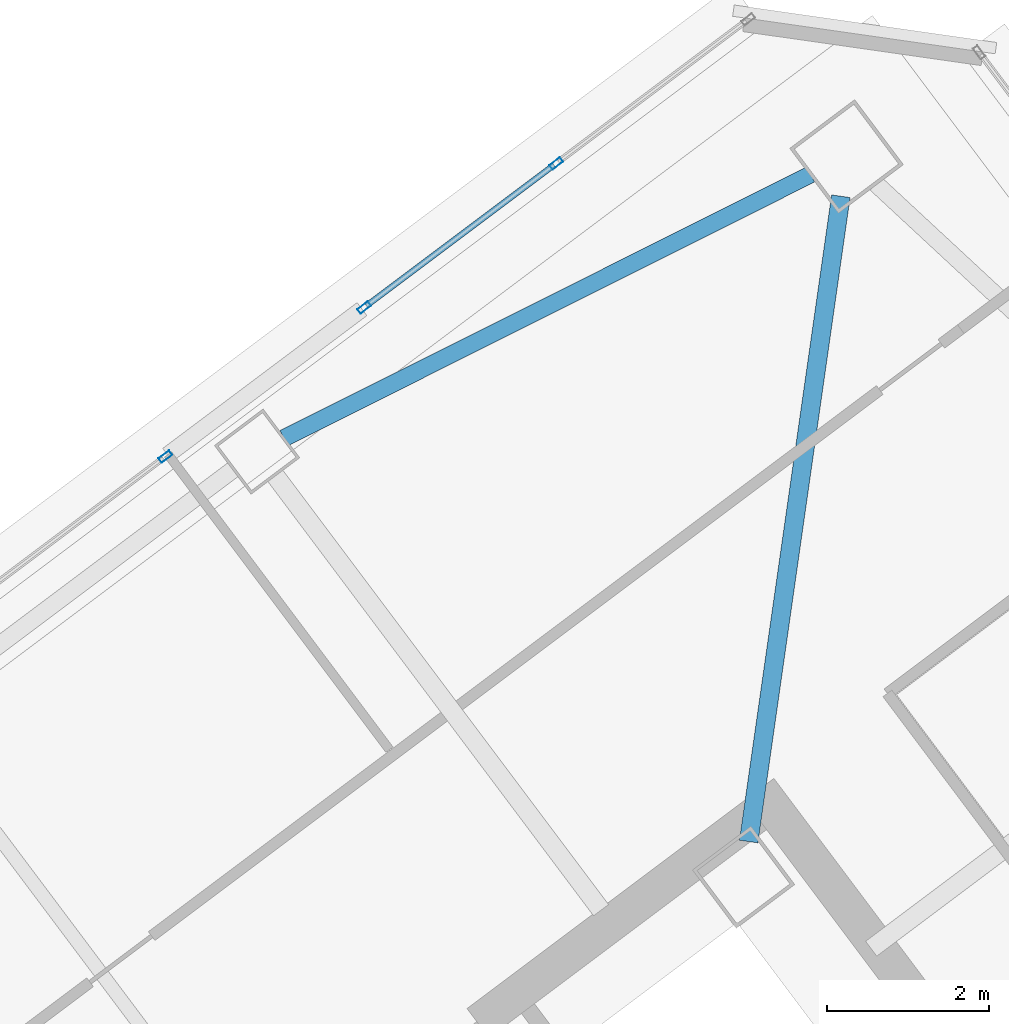
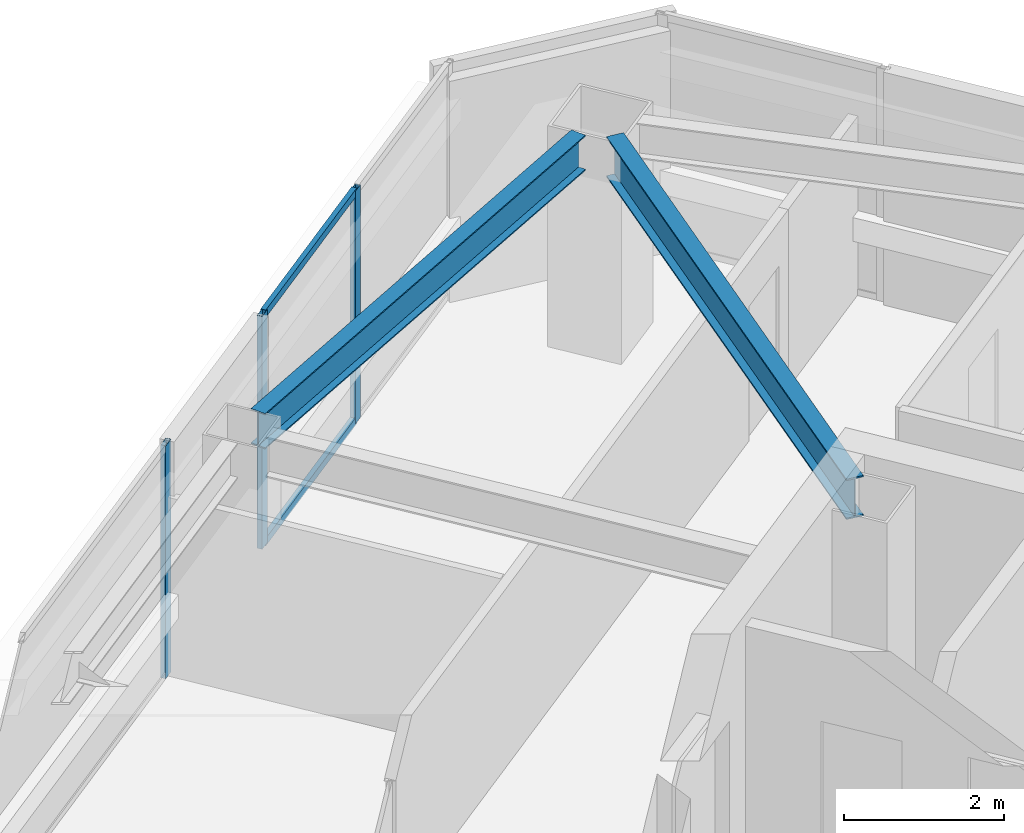
# One storey, part 25 of 39: 5 members, 2 beams, 2 elements without a shape of their own.
"""IFC4 building model written with IfcOpenShell, lengths in metres."""

from ifc_helpers import new_model, si_unit, direction, frame, origin, origin_2d, place, context, subcontext, project, spatial, hollow_rectangle, i_section, extrude, material, material_profile, profile_set, type_object, element, aggregate, save


model = new_model("IFC4")

# Units and contexts
model_context = context("Model", 3, precision=1e-05, world=origin(), true_north=direction((0.0, 1.0)))
body_context = subcontext(model_context, "Body", "Model", "MODEL_VIEW")
ifc_project = project(units=[si_unit("LENGTHUNIT", "METRE"), si_unit("AREAUNIT", "SQUARE_METRE"), si_unit("VOLUMEUNIT", "CUBIC_METRE"), si_unit("PLANEANGLEUNIT", "RADIAN"), si_unit("MASSUNIT", "GRAM", prefix="KILO")], contexts=[model_context])

# Site, building, storey
site_placement = place(None, origin())
site = spatial("IfcSite", under=ifc_project, at=site_placement, CompositionType="ELEMENT")
building_placement = place(site_placement, origin())
building = spatial("IfcBuilding", under=site, at=building_placement, Name="Tashvorn Skyway Center", CompositionType="ELEMENT")
storey_placement = place(building_placement, frame((0.0, 0.0, 214.85009765625)))
storey = spatial("IfcBuildingStorey", under=building, at=storey_placement, Name="L58", CompositionType="ELEMENT", Elevation=214.85009765625)

# Beams
ifc_material_1 = material(Name="Steel ASTM A992 Grade 50", Category="steel")
ifc_material_profile_1 = material_profile(ifc_material_1, i_section(OverallWidth=0.22998046875, OverallDepth=0.616943359375, WebThickness=0.01318359375, FlangeThickness=0.022216796875, at=origin_2d()), Name="W24X94")
ifc_profile_set_1 = profile_set([ifc_material_profile_1], Name="Steel ASTM A992 Grade 50")
beam_type_1 = type_object("IfcBeamType", Name="BM-BEAM-W24X94", PredefinedType="BEAM", material=ifc_profile_set_1)
beam_1_placement = place(storey_placement, frame((116.610107421875, 50.27001953125, 3.0615234375), z_axis=(-0.141438360399, -0.989947064346, 0.0), x_axis=(0.989947064346, -0.141438360399, 0.0)))
element("IfcBeam", 1, at=beam_1_placement, inside=storey, type_object=beam_type_1, Name="Tower 2 L58 Primary Floor Girder MC-NE", PredefinedType="BEAM", context=body_context, shape_type="SweptSolid", body=[
    extrude(i_section(OverallWidth=0.22998046875, OverallDepth=0.616943359375, WebThickness=0.01318359375, FlangeThickness=0.022216796875, at=origin_2d()), origin(), (0.0, 0.0, 1.0), 8.040283203125),
])
ifc_material_profile_2 = material_profile(ifc_material_1, i_section(OverallWidth=0.2109375, OverallDepth=0.5390625, WebThickness=0.01171875, FlangeThickness=0.018798828125, at=origin_2d()), Name="W21X73")
ifc_profile_set_2 = profile_set([ifc_material_profile_2], Name="Steel ASTM A992 Grade 50")
beam_type_2 = type_object("IfcBeamType", Name="BM-SPANDREL-W21X73", PredefinedType="SPANDREL", material=ifc_profile_set_2)
beam_2_placement = place(storey_placement, frame((116.2373046875, 50.538330078125, 3.100341796875), z_axis=(-0.894178380472, -0.447710870872, 0.0), x_axis=(0.447710870872, -0.894178380472, 0.0)))
element("IfcBeam", 2, at=beam_2_placement, inside=storey, type_object=beam_type_2, Name="Tower 2 L58 Spandrel Beam 07", PredefinedType="SPANDREL", context=body_context, shape_type="SweptSolid", body=[
    extrude(i_section(OverallWidth=0.2109375, OverallDepth=0.5390625, WebThickness=0.01171875, FlangeThickness=0.018798828125, at=origin_2d()), origin(), (0.0, 0.0, 1.0), 7.26513671875),
])

# Curtain wall, member
ifc_material_2 = material(Name="Thermally broken bronze-anodized aluminium 6063-T6", Category="aluminium")
curtain_wall_type = type_object("IfcCurtainWallType", Name="CW-CW-Z5", PredefinedType="NOTDEFINED", material=ifc_material_2)
curtain_wall_1_placement = place(storey_placement, origin())
curtain_wall_1 = element("IfcCurtainWall", 3, at=curtain_wall_1_placement, inside=storey, type_object=curtain_wall_type, Name="Tower 2 L58 North Unitised Curtain Wall Glazing Group 2", PredefinedType="NOTDEFINED")
ifc_material_profile_3 = material_profile(ifc_material_2, hollow_rectangle(XDim=0.070068359375, YDim=0.1650390625, WallThickness=0.00390625, at=origin_2d()), Name="ALU-MULL-70x165")
ifc_profile_set_3 = profile_set([ifc_material_profile_3], Name="Thermally broken bronze-anodized aluminium 6063-T6")
member_type_1 = type_object("IfcMemberType", Name="CWM-CW-Z5", PredefinedType="MULLION", material=ifc_profile_set_3)
member_1_placement = place(storey_placement, frame((108.27880859375, 47.05908203125, 0.0), z_axis=(0.0, 0.0, 1.0), x_axis=(-0.599996439189, 0.800002670596, 0.0)))
member_1 = element("IfcMember", 4, at=member_1_placement, type_object=member_type_1, Name="CW-Z5 mullion 2", PredefinedType="MULLION", context=body_context, shape_type="SweptSolid", body=[
    extrude(hollow_rectangle(XDim=0.070068359375, YDim=0.1650390625, WallThickness=0.00390625, at=origin_2d()), origin(), (0.0, 0.0, 1.0), 3.5498046875),
])
aggregate(curtain_wall_1, [member_1])

# Curtain wall, members
curtain_wall_2_placement = place(storey_placement, origin())
curtain_wall_2 = element("IfcCurtainWall", 5, at=curtain_wall_2_placement, inside=storey, type_object=curtain_wall_type, Name="Tower 2 L58 North Unitised Curtain Wall Glazing Group 3", PredefinedType="NOTDEFINED")
member_2_placement = place(storey_placement, frame((110.731201171875, 48.898193359375, 0.0), z_axis=(0.0, 0.0, 1.0), x_axis=(-0.600002670604, 0.79999799704, 0.0)))
member_2 = element("IfcMember", 6, at=member_2_placement, type_object=member_type_1, Name="CW-Z5 mullion 1", PredefinedType="MULLION", context=body_context, shape_type="SweptSolid", body=[
    extrude(hollow_rectangle(XDim=0.070068359375, YDim=0.1650390625, WallThickness=0.00390625, at=origin_2d()), origin(), (0.0, 0.0, 1.0), 3.5498046875),
])
member_3_placement = place(storey_placement, frame((113.099609375, 50.674560546875, 0.0), z_axis=(0.0, 0.0, 1.0), x_axis=(-0.600002670604, 0.79999799704, 0.0)))
member_3 = element("IfcMember", 7, at=member_3_placement, type_object=member_type_1, Name="CW-Z5 mullion 2", PredefinedType="MULLION", context=body_context, shape_type="SweptSolid", body=[
    extrude(hollow_rectangle(XDim=0.070068359375, YDim=0.1650390625, WallThickness=0.00390625, at=origin_2d()), origin(), (0.0, 0.0, 1.0), 3.5498046875),
])
ifc_material_profile_4 = material_profile(ifc_material_2, hollow_rectangle(XDim=0.070068359375, YDim=0.114990234375, WallThickness=0.00390625, at=origin_2d()), Name="ALU-TRAN-70x115")
ifc_profile_set_4 = profile_set([ifc_material_profile_4], Name="Thermally broken bronze-anodized aluminium 6063-T6")
member_type_2 = type_object("IfcMemberType", Name="CWT-CW-Z5", PredefinedType="USERDEFINED", material=ifc_profile_set_4)
member_4_placement = place(storey_placement, frame((110.759033203125, 48.919189453125, 0.034912109375), z_axis=(0.8, 0.6, 0.0), x_axis=(-0.6, 0.8, 0.0)))
member_4 = element("IfcMember", 8, at=member_4_placement, type_object=member_type_2, Name="CW-Z5 transom 1.1", ObjectType="TRANSOM", PredefinedType="USERDEFINED", context=body_context, shape_type="SweptSolid", body=[
    extrude(hollow_rectangle(XDim=0.070068359375, YDim=0.114990234375, WallThickness=0.00390625, at=origin_2d()), origin(), (0.0, 0.0, 1.0), 2.890625),
])
member_5_placement = place(storey_placement, frame((110.759033203125, 48.919189453125, 3.514892578125), z_axis=(0.8, 0.6, 0.0), x_axis=(-0.6, 0.8, 0.0)))
member_5 = element("IfcMember", 9, at=member_5_placement, type_object=member_type_2, Name="CW-Z5 transom 1.2", ObjectType="TRANSOM", PredefinedType="USERDEFINED", context=body_context, shape_type="SweptSolid", body=[
    extrude(hollow_rectangle(XDim=0.070068359375, YDim=0.114990234375, WallThickness=0.00390625, at=origin_2d()), origin(), (0.0, 0.0, 1.0), 2.890625),
])
aggregate(curtain_wall_2, [member_2, member_3, member_4, member_5])

save(model, "model.ifc")
